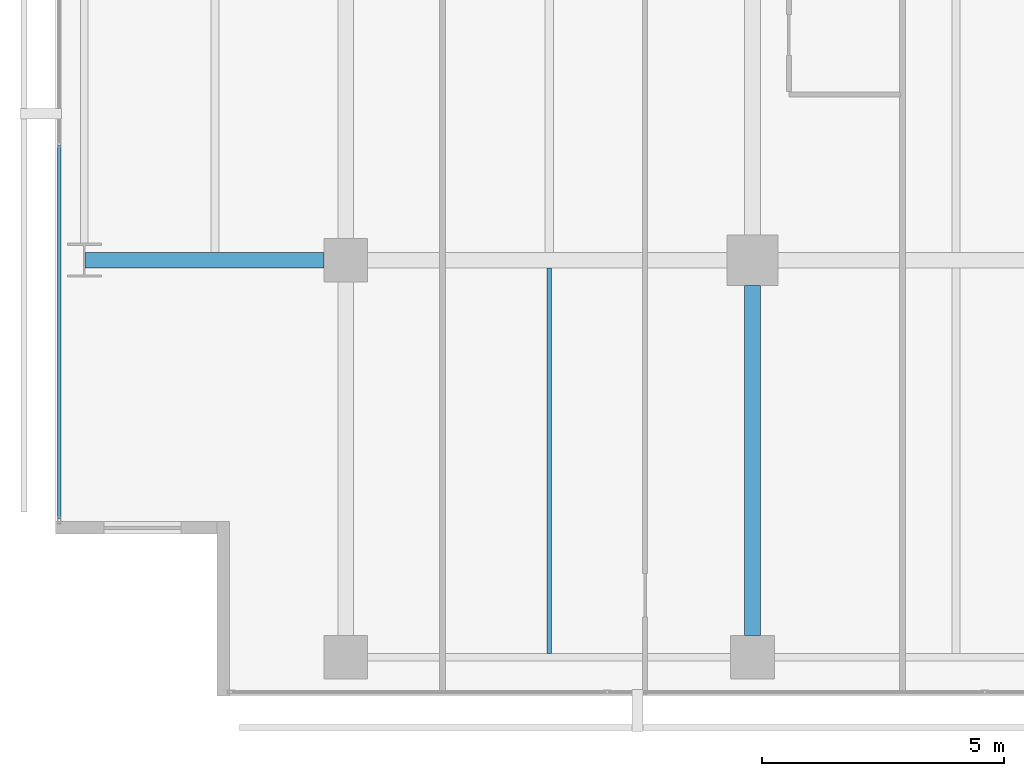
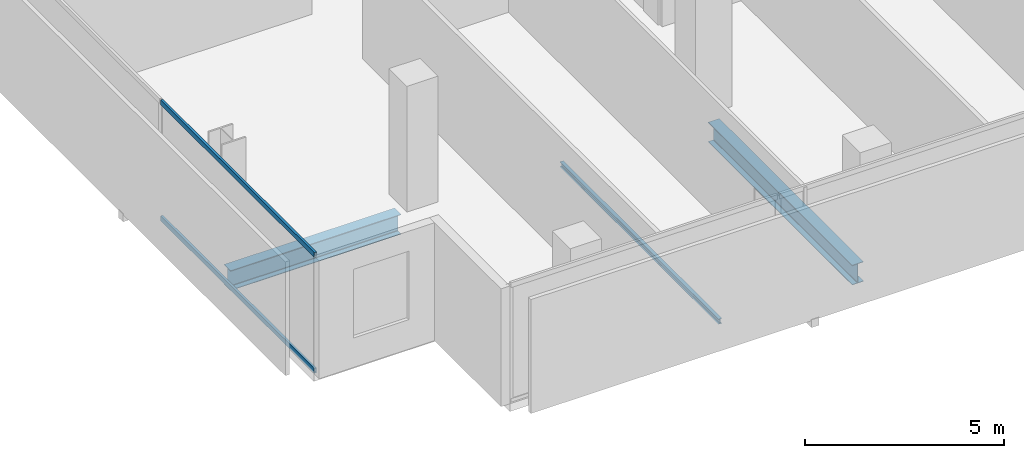
# One storey, part 4 of 40: 3 beams, 2 members, 1 element without a shape of its own.
"""IFC4 building model written with IfcOpenShell, lengths in metres."""

from ifc_helpers import new_model, si_unit, direction, frame, origin, origin_2d, place, context, subcontext, project, spatial, hollow_rectangle, i_section, extrude, material, layer, layer_set, material_profile, profile_set, type_object, element, aggregate, save


model = new_model("IFC4")

# Units and contexts
model_context = context("Model", 3, precision=1e-05, world=origin(), true_north=direction((0.0, 1.0)))
body_context = subcontext(model_context, "Body", "Model", "MODEL_VIEW")
ifc_project = project(units=[si_unit("LENGTHUNIT", "METRE"), si_unit("AREAUNIT", "SQUARE_METRE"), si_unit("VOLUMEUNIT", "CUBIC_METRE"), si_unit("PLANEANGLEUNIT", "RADIAN"), si_unit("MASSUNIT", "GRAM", prefix="KILO")], contexts=[model_context])

# Site, building, storey
site_placement = place(None, origin())
site = spatial("IfcSite", under=ifc_project, at=site_placement, CompositionType="ELEMENT")
building_placement = place(site_placement, origin())
building = spatial("IfcBuilding", under=site, at=building_placement, Name="Maruvema Waterfront Hotel and Observation Tower", CompositionType="ELEMENT")
storey_placement = place(building_placement, frame((0.0, 0.0, 100.10009765625)))
storey = spatial("IfcBuildingStorey", under=building, at=storey_placement, Name="L24", CompositionType="ELEMENT", Elevation=100.10009765625)

# Curtain wall, members
ifc_material_1 = material(Name="Anodised bronze aluminium and solar-control low-E IGU", Category="aluminium")
ifc_layer = layer(ifc_material_1, 0.159912109375, Name="Zone 1 Bronze Inner Thermal Curtain Wall System CW-02")
ifc_layer_set = layer_set([ifc_layer], Name="Anodised bronze aluminium and solar-control low-E IGU")
curtain_wall_type = type_object("IfcCurtainWallType", Name="Zone 1 Bronze Inner Thermal Curtain Wall System CW-02", PredefinedType="USERDEFINED", material=ifc_layer_set)
curtain_wall_placement = place(storey_placement, origin())
curtain_wall = element("IfcCurtainWall", 1, at=curtain_wall_placement, inside=storey, type_object=curtain_wall_type, Name="L24 Curtain Wall CW-L24-W", ObjectType="UNITISED CURTAIN WALL", PredefinedType="USERDEFINED")
ifc_material_2 = material(Name="Anodised architectural bronze aluminium", Category="aluminium")
ifc_material_profile_1 = material_profile(ifc_material_2, hollow_rectangle(XDim=0.070068359375, YDim=0.14990234375, WallThickness=0.00390625, at=origin_2d()), Name="ALU-T70x150")
ifc_profile_set_1 = profile_set([ifc_material_profile_1], Name="Anodised architectural bronze aluminium")
member_type = type_object("IfcMemberType", Name="Curtain Wall Horizontal Transom ALU-T70x150", PredefinedType="USERDEFINED", material=ifc_profile_set_1)
member_1_placement = place(storey_placement, frame((10.8798828125, 11.3701171875, 0.02978515625), z_axis=(0.0, -1.0, 0.0), x_axis=(1.0, 0.0, 0.0)))
member_1 = element("IfcMember", 2, at=member_1_placement, type_object=member_type, Name="CW-02 transom 6.1", ObjectType="TRANSOM", PredefinedType="USERDEFINED", context=body_context, shape_type="SweptSolid", body=[
    extrude(hollow_rectangle(XDim=0.070068359375, YDim=0.14990234375, WallThickness=0.00390625, at=origin_2d()), origin(), (0.0, 0.0, 1.0), 7.710205078125),
])
member_2_placement = place(storey_placement, frame((10.8798828125, 11.3701171875, 3.579833984375), z_axis=(0.0, -1.0, 0.0), x_axis=(1.0, 0.0, 0.0)))
member_2 = element("IfcMember", 3, at=member_2_placement, type_object=member_type, Name="CW-02 transom 6.2", ObjectType="TRANSOM", PredefinedType="USERDEFINED", context=body_context, shape_type="SweptSolid", body=[
    extrude(hollow_rectangle(XDim=0.070068359375, YDim=0.14990234375, WallThickness=0.00390625, at=origin_2d()), origin(), (0.0, 0.0, 1.0), 7.710205078125),
])
aggregate(curtain_wall, [member_1, member_2])

# Beams
ifc_material_3 = material(Name="Steel ASTM A572 Grade 50", Category="steel")
ifc_material_profile_2 = material_profile(ifc_material_3, i_section(OverallWidth=0.323974609375, OverallDepth=0.611083984375, WebThickness=0.0126953125, FlangeThickness=0.01904296875, FilletRadius=0.01806640625, at=origin_2d()), Name="W610x155.0")
ifc_profile_set_2 = profile_set([ifc_material_profile_2], Name="Steel ASTM A572 Grade 50")
beam_type_1 = type_object("IfcBeamType", Name="Primary Floor Girder W610x155.0", PredefinedType="BEAM", material=ifc_profile_set_2)
beam_1_placement = place(storey_placement, frame((11.4140625, 9.0, -0.545654296875), z_axis=(1.0, 0.0, 0.0), x_axis=(0.0, 1.0, 0.0)))
element("IfcBeam", 4, at=beam_1_placement, inside=storey, type_object=beam_type_1, Name="L24 Floor Girder EW-06", PredefinedType="BEAM", context=body_context, shape_type="SweptSolid", body=[
    extrude(i_section(OverallWidth=0.323974609375, OverallDepth=0.611083984375, WebThickness=0.0126953125, FlangeThickness=0.01904296875, FilletRadius=0.01806640625, at=origin_2d()), origin(), (0.0, 0.0, 1.0), 4.93603515625),
])
beam_2_placement = place(storey_placement, frame((25.199951171875, 1.25, -0.545654296875), z_axis=(0.0, 1.0, 0.0), x_axis=(-1.0, 0.0, 0.0)))
element("IfcBeam", 5, at=beam_2_placement, inside=storey, type_object=beam_type_1, Name="L24 Floor Girder NS-11", PredefinedType="BEAM", context=body_context, shape_type="SweptSolid", body=[
    extrude(i_section(OverallWidth=0.323974609375, OverallDepth=0.611083984375, WebThickness=0.0126953125, FlangeThickness=0.01904296875, FilletRadius=0.01806640625, at=origin_2d()), origin(), (0.0, 0.0, 1.0), 7.22509765625),
])
ifc_material_4 = material(Name="Steel ASTM A572 Grade 50", Category="steel")
ifc_material_profile_3 = material_profile(ifc_material_4, i_section(OverallWidth=0.10009765625, OverallDepth=0.153076171875, WebThickness=0.005859375, FlangeThickness=0.007080078125, FilletRadius=0.008056640625, at=origin_2d()), Name="W150x18.0")
ifc_profile_set_3 = profile_set([ifc_material_profile_3], Name="Steel ASTM A572 Grade 50")
beam_type_2 = type_object("IfcBeamType", Name="Secondary Floor Joist W150x18.0", PredefinedType="JOIST", material=ifc_profile_set_3)
beam_3_placement = place(storey_placement, frame((21.0, 0.87646484375, -0.316650390625), z_axis=(0.0, 1.0, 0.0), x_axis=(-1.0, 0.0, 0.0)))
element("IfcBeam", 6, at=beam_3_placement, inside=storey, type_object=beam_type_2, Name="L24 Secondary Floor Joist JS-05", PredefinedType="JOIST", context=body_context, shape_type="SweptSolid", body=[
    extrude(i_section(OverallWidth=0.10009765625, OverallDepth=0.153076171875, WebThickness=0.005859375, FlangeThickness=0.007080078125, FilletRadius=0.008056640625, at=origin_2d()), origin(), (0.0, 0.0, 1.0), 7.96142578125),
])

save(model, "model.ifc")
